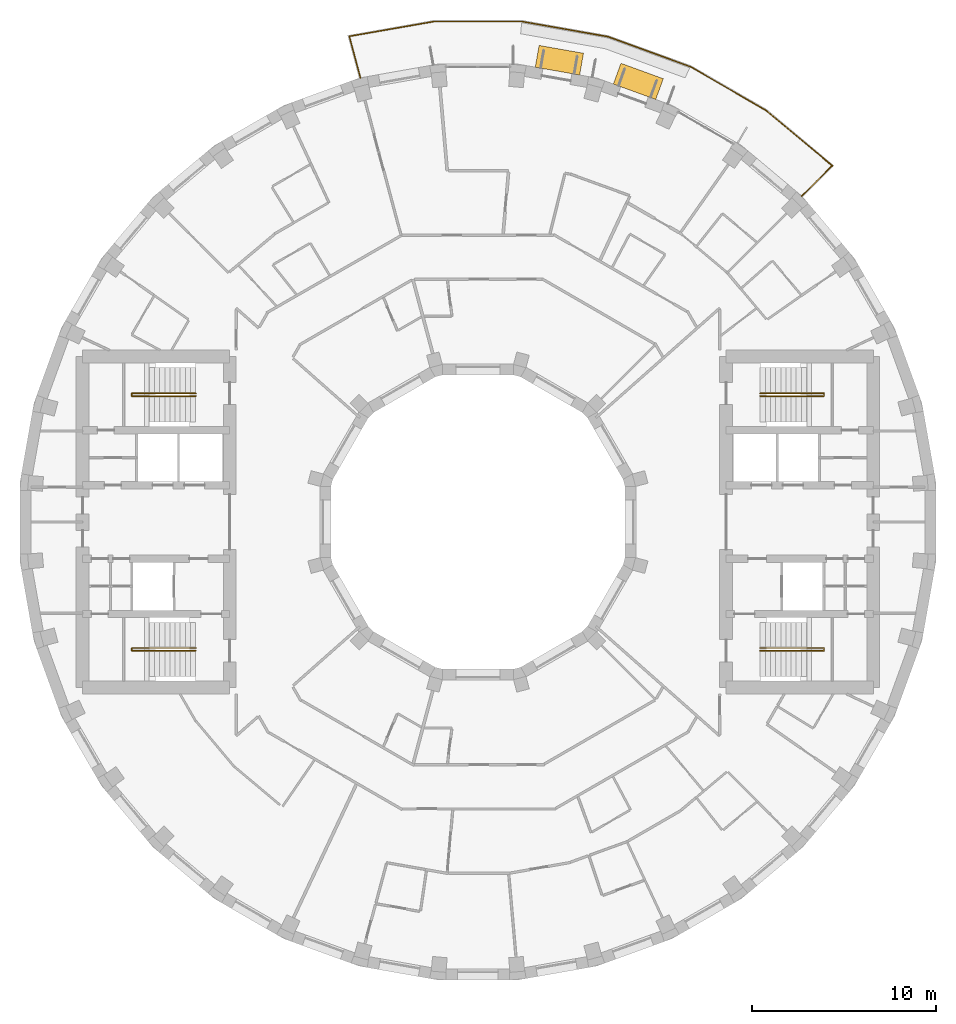
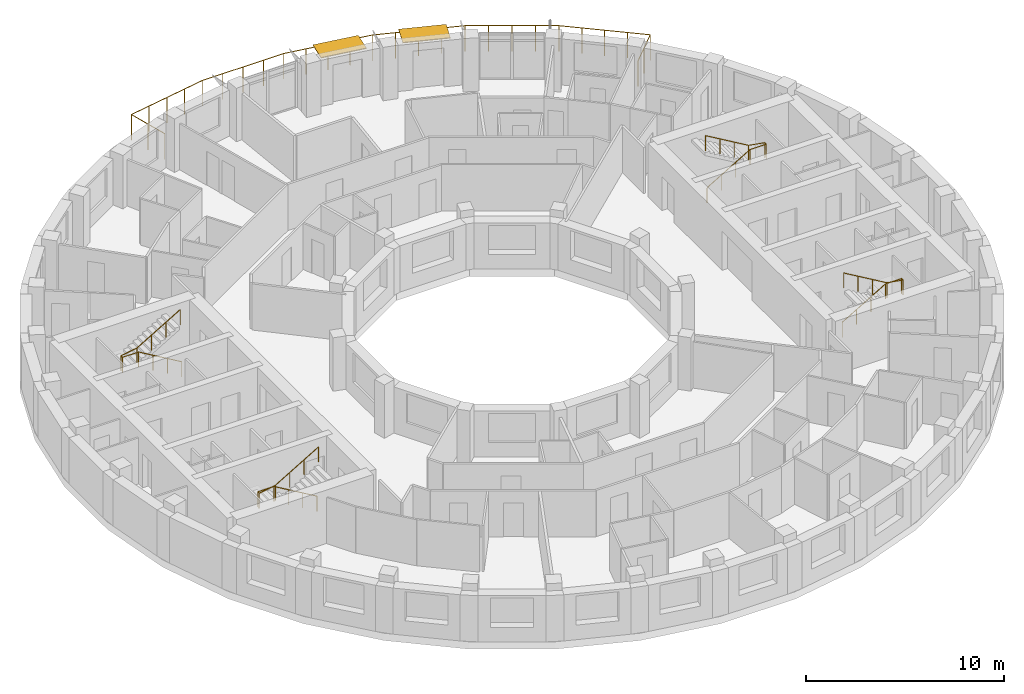
# One storey, part 13 of 13: 5 railings, 2 shading devices.
"""IFC4 building model written with IfcOpenShell, lengths in metres."""

from ifc_helpers import new_model, si_unit, direction, frame, origin, origin_2d, place, context, subcontext, project, spatial, rectangle, circle, extrude, material, layer, layer_set, type_object, element, save


model = new_model("IFC4")

# Units and contexts
model_context = context("Model", 3, precision=1e-05, world=origin(), true_north=direction((0.0, 1.0)))
body_context = subcontext(model_context, "Body", "Model", "MODEL_VIEW")
ifc_project = project(units=[si_unit("LENGTHUNIT", "METRE"), si_unit("AREAUNIT", "SQUARE_METRE"), si_unit("VOLUMEUNIT", "CUBIC_METRE"), si_unit("PLANEANGLEUNIT", "RADIAN"), si_unit("MASSUNIT", "GRAM", prefix="KILO")], contexts=[model_context])

# Site, building, storey
site_placement = place(None, origin())
site = spatial("IfcSite", under=ifc_project, at=site_placement, CompositionType="ELEMENT")
building_placement = place(site_placement, origin())
building = spatial("IfcBuilding", under=site, at=building_placement, Name="Saqina Gate Tower", CompositionType="ELEMENT")
storey_placement = place(building_placement, frame((0.0, 0.0, 203.699951171875)))
storey = spatial("IfcBuildingStorey", under=building, at=storey_placement, Name="L58", CompositionType="ELEMENT", Elevation=203.699951171875)

# Shading devices
ifc_material_1 = material(Name="Aluminium and fabric awning", Category="aluminium")
ifc_layer = layer(ifc_material_1, 0.050048828125)
ifc_layer_set = layer_set([ifc_layer], Name="AW-TERRACE")
shading_device_type = type_object("IfcShadingDeviceType", Name="AW-TERRACE", PredefinedType="AWNING", material=ifc_layer_set)
for number, where, z_axis, x_axis, name in (
    (1, (8.72314453125, 23.966796875, 2.52490234375), (0.0, 0.0, 1.0), (-0.939692620786, 0.342020143326, 0.0), "Terrace awning L58 facet 7"),
    (2, (4.428955078125, 25.117431640625, 2.52490234375), (0.0, 0.0, 1.0), (-0.984807753012, 0.173648177667, 0.0), "Terrace awning L58 facet 8"),
):
    element("IfcShadingDevice", number, at=place(storey_placement, frame(where, z_axis=z_axis, x_axis=x_axis)), inside=storey, type_object=shading_device_type, Name=name, PredefinedType="AWNING", context=body_context, shape_type="SweptSolid", body=[
        extrude(rectangle(XDim=2.44970703125, YDim=1.199951171875, at=origin_2d()), origin(), (0.0, 0.0, 1.0), 0.050048828125),
    ])

# Railings
ifc_material_2 = material(Name="Stainless steel", Category="steel")
railing_type_1 = type_object("IfcRailingType", Name="RL-TERRACE", PredefinedType="GUARDRAIL", material=ifc_material_2)
railing_1_placement = place(storey_placement, frame((17.57861328125, 17.69189453125, 0.0)))
element("IfcRailing", 3, at=railing_1_placement, inside=storey, type_object=railing_type_1, Name="Terrace guard L58", PredefinedType="GUARDRAIL", context=body_context, shape_type="SweptSolid", body=[
    extrude(circle(Radius=0.02392578125, at=origin_2d()), frame((0.0, 0.0, 1.576171875), z_axis=(0.707106781187, 0.707106781187, 0.0), x_axis=(-0.707106781187, 0.707106781187, 0.0)), (0.0, 0.0, 1.0), 2.388916015625),
    extrude(circle(Radius=0.02392578125, at=origin_2d()), frame((1.689208984375, 1.689208984375, 1.576171875), z_axis=(-0.767002243016, 0.641644418045, 0.0), x_axis=(-0.641644418045, -0.767002243016, 0.0)), (0.0, 0.0, 1.0), 4.683837890625),
    extrude(circle(Radius=0.02392578125, at=origin_2d()), frame((-1.9033203125, 4.694580078125, 1.576171875), z_axis=(-0.866026842905, 0.499997507361, 0.0), x_axis=(-0.499997507361, -0.866026842905, 0.0)), (0.0, 0.0, 1.0), 4.763671875),
    extrude(circle(Radius=0.02392578125, at=origin_2d()), frame((-6.02880859375, 7.076416015625, 1.576171875), z_axis=(-0.939688638318, 0.342031084868, 0.0), x_axis=(-0.342031084868, -0.939688638318, 0.0)), (0.0, 0.0, 1.0), 4.763916015625),
    extrude(circle(Radius=0.02392578125, at=origin_2d()), frame((-10.50537109375, 8.705810546875, 1.576171875), z_axis=(-0.98481037568, 0.173633303123, 0.0), x_axis=(-0.173633303123, -0.98481037568, 0.0)), (0.0, 0.0, 1.0), 4.763671875),
    extrude(circle(Radius=0.02392578125, at=origin_2d()), frame((-15.19677734375, 9.532958984375, 1.576171875), z_axis=(-1.0, 0.0, 0.0), x_axis=(0.0, -1.0, 0.0)), (0.0, 0.0, 1.0), 4.763671875),
    extrude(circle(Radius=0.02392578125, at=origin_2d()), frame((-19.96044921875, 9.532958984375, 1.576171875), z_axis=(-0.985070265823, -0.17215275598, 0.0), x_axis=(0.17215275598, -0.985070265823, 0.0)), (0.0, 0.0, 1.0), 4.68408203125),
    extrude(circle(Radius=0.02392578125, at=origin_2d()), frame((-24.57470703125, 8.7265625, 1.576171875), z_axis=(0.258851866296, -0.965917031279, 0.0), x_axis=(0.965917031279, 0.258851866296, 0.0)), (0.0, 0.0, 1.0), 2.38916015625),
    extrude(circle(Radius=0.02099609375, at=origin_2d()), origin(), (0.0, 0.0, 1.0), 1.552001953125),
    extrude(circle(Radius=0.02099609375, at=origin_2d()), frame((0.8447265625, 0.8447265625, 0.0)), (0.0, 0.0, 1.0), 1.552001953125),
    extrude(circle(Radius=0.02099609375, at=origin_2d()), frame((1.689208984375, 1.689208984375, 0.0)), (0.0, 0.0, 1.0), 1.552001953125),
    extrude(circle(Radius=0.02099609375, at=origin_2d()), frame((0.791015625, 2.4404296875, 0.0)), (0.0, 0.0, 1.0), 1.552001953125),
    extrude(circle(Radius=0.02099609375, at=origin_2d()), frame((-0.10693359375, 3.19189453125, 0.0)), (0.0, 0.0, 1.0), 1.552001953125),
    extrude(circle(Radius=0.02099609375, at=origin_2d()), frame((-1.005126953125, 3.943359375, 0.0)), (0.0, 0.0, 1.0), 1.552001953125),
    extrude(circle(Radius=0.02099609375, at=origin_2d()), frame((-1.9033203125, 4.694580078125, 0.0)), (0.0, 0.0, 1.0), 1.552001953125),
    extrude(circle(Radius=0.02099609375, at=origin_2d()), frame((-2.9345703125, 5.2900390625, 0.0)), (0.0, 0.0, 1.0), 1.552001953125),
    extrude(circle(Radius=0.02099609375, at=origin_2d()), frame((-3.966064453125, 5.885498046875, 0.0)), (0.0, 0.0, 1.0), 1.552001953125),
    extrude(circle(Radius=0.02099609375, at=origin_2d()), frame((-4.99755859375, 6.48095703125, 0.0)), (0.0, 0.0, 1.0), 1.552001953125),
    extrude(circle(Radius=0.02099609375, at=origin_2d()), frame((-6.02880859375, 7.076416015625, 0.0)), (0.0, 0.0, 1.0), 1.552001953125),
    extrude(circle(Radius=0.02099609375, at=origin_2d()), frame((-7.14794921875, 7.48388671875, 0.0)), (0.0, 0.0, 1.0), 1.552001953125),
    extrude(circle(Radius=0.02099609375, at=origin_2d()), frame((-8.26708984375, 7.89111328125, 0.0)), (0.0, 0.0, 1.0), 1.552001953125),
    extrude(circle(Radius=0.02099609375, at=origin_2d()), frame((-9.38623046875, 8.29833984375, 0.0)), (0.0, 0.0, 1.0), 1.552001953125),
    extrude(circle(Radius=0.02099609375, at=origin_2d()), frame((-10.50537109375, 8.705810546875, 0.0)), (0.0, 0.0, 1.0), 1.552001953125),
    extrude(circle(Radius=0.02099609375, at=origin_2d()), frame((-11.67822265625, 8.91259765625, 0.0)), (0.0, 0.0, 1.0), 1.552001953125),
    extrude(circle(Radius=0.02099609375, at=origin_2d()), frame((-12.85107421875, 9.119384765625, 0.0)), (0.0, 0.0, 1.0), 1.552001953125),
    extrude(circle(Radius=0.02099609375, at=origin_2d()), frame((-14.02392578125, 9.326171875, 0.0)), (0.0, 0.0, 1.0), 1.552001953125),
    extrude(circle(Radius=0.02099609375, at=origin_2d()), frame((-15.19677734375, 9.532958984375, 0.0)), (0.0, 0.0, 1.0), 1.552001953125),
    extrude(circle(Radius=0.02099609375, at=origin_2d()), frame((-16.3876953125, 9.532958984375, 0.0)), (0.0, 0.0, 1.0), 1.552001953125),
    extrude(circle(Radius=0.02099609375, at=origin_2d()), frame((-17.57861328125, 9.532958984375, 0.0)), (0.0, 0.0, 1.0), 1.552001953125),
    extrude(circle(Radius=0.02099609375, at=origin_2d()), frame((-18.76953125, 9.532958984375, 0.0)), (0.0, 0.0, 1.0), 1.552001953125),
    extrude(circle(Radius=0.02099609375, at=origin_2d()), frame((-19.96044921875, 9.532958984375, 0.0)), (0.0, 0.0, 1.0), 1.552001953125),
    extrude(circle(Radius=0.02099609375, at=origin_2d()), frame((-21.114013671875, 9.331298828125, 0.0)), (0.0, 0.0, 1.0), 1.552001953125),
    extrude(circle(Radius=0.02099609375, at=origin_2d()), frame((-22.267578125, 9.1298828125, 0.0)), (0.0, 0.0, 1.0), 1.552001953125),
    extrude(circle(Radius=0.02099609375, at=origin_2d()), frame((-23.421142578125, 8.92822265625, 0.0)), (0.0, 0.0, 1.0), 1.552001953125),
    extrude(circle(Radius=0.02099609375, at=origin_2d()), frame((-24.57470703125, 8.7265625, 0.0)), (0.0, 0.0, 1.0), 1.552001953125),
    extrude(circle(Radius=0.02099609375, at=origin_2d()), frame((-24.265625, 7.57275390625, 0.0)), (0.0, 0.0, 1.0), 1.552001953125),
    extrude(circle(Radius=0.02099609375, at=origin_2d()), frame((-23.956298828125, 6.4189453125, 0.0)), (0.0, 0.0, 1.0), 1.552001953125),
])
ifc_material_3 = material(Name="Stainless steel", Category="steel")
railing_type_2 = type_object("IfcRailingType", Name="STAIR HANDRAIL", PredefinedType="HANDRAIL", material=ifc_material_3)
railing_2_placement = place(storey_placement, frame((15.35009765625, 6.85009765625, 0.1650390625)))
element("IfcRailing", 4, at=railing_2_placement, inside=storey, type_object=railing_type_2, Name="EXIT STAIR 1 HANDRAIL", PredefinedType="HANDRAIL", context=body_context, shape_type="SweptSolid", body=[
    extrude(circle(Radius=0.02392578125, at=origin_2d()), frame((0.0, 0.0, 0.92578125), z_axis=(0.86152411907, 0.0, 0.507716645641), x_axis=(0.0, 1.0, 0.0)), (0.0, 0.0, 1.0), 2.925048828125),
    extrude(circle(Radius=0.02392578125, at=origin_2d()), frame((2.52001953125, 0.0, 2.4111328125), z_axis=(1.0, 0.0, 0.0), x_axis=(0.0, 1.0, 0.0)), (0.0, 0.0, 1.0), 0.949951171875),
    extrude(circle(Radius=0.02392578125, at=origin_2d()), frame((3.469970703125, 0.0, 2.4111328125), z_axis=(0.0, 1.0, 0.0), x_axis=(-1.0, 0.0, 0.0)), (0.0, 0.0, 1.0), 0.14990234375),
    extrude(circle(Radius=0.02392578125, at=origin_2d()), frame((3.469970703125, 0.14990234375, 2.4111328125), z_axis=(-0.985284148366, 0.0, 0.170924389655), x_axis=(0.0, -1.0, 0.0)), (0.0, 0.0, 1.0), 0.964111328125),
    extrude(circle(Radius=0.02392578125, at=origin_2d()), frame((2.52001953125, 0.14990234375, 2.57568359375), z_axis=(-0.86152411907, 0.0, 0.507716645641), x_axis=(0.0, -1.0, 0.0)), (0.0, 0.0, 1.0), 2.925048828125),
    extrude(circle(Radius=0.02099609375, at=origin_2d()), origin(), (0.0, 0.0, 1.0), 0.90185546875),
    extrude(circle(Radius=0.02099609375, at=origin_2d()), frame((0.840087890625, 0.0, 0.4951171875)), (0.0, 0.0, 1.0), 0.90185546875),
    extrude(circle(Radius=0.02099609375, at=origin_2d()), frame((1.679931640625, 0.0, 0.989990234375)), (0.0, 0.0, 1.0), 0.90185546875),
    extrude(circle(Radius=0.02099609375, at=origin_2d()), frame((2.52001953125, 0.0, 1.485107421875)), (0.0, 0.0, 1.0), 0.90185546875),
    extrude(circle(Radius=0.02099609375, at=origin_2d()), frame((3.469970703125, 0.0, 1.485107421875)), (0.0, 0.0, 1.0), 0.90185546875),
    extrude(circle(Radius=0.02099609375, at=origin_2d()), frame((3.469970703125, 0.14990234375, 1.485107421875)), (0.0, 0.0, 1.0), 0.90185546875),
    extrude(circle(Radius=0.02099609375, at=origin_2d()), frame((2.52001953125, 0.14990234375, 1.64990234375)), (0.0, 0.0, 1.0), 0.90185546875),
    extrude(circle(Radius=0.02099609375, at=origin_2d()), frame((1.679931640625, 0.14990234375, 2.14501953125)), (0.0, 0.0, 1.0), 0.90185546875),
    extrude(circle(Radius=0.02099609375, at=origin_2d()), frame((0.840087890625, 0.14990234375, 2.639892578125)), (0.0, 0.0, 1.0), 0.90185546875),
    extrude(circle(Radius=0.02099609375, at=origin_2d()), frame((0.0, 0.14990234375, 3.135009765625)), (0.0, 0.0, 1.0), 0.90185546875),
])
railing_3_placement = place(storey_placement, frame((15.35009765625, -6.85009765625, 0.1650390625)))
element("IfcRailing", 5, at=railing_3_placement, inside=storey, type_object=railing_type_2, Name="EXIT STAIR 2 HANDRAIL", PredefinedType="HANDRAIL", context=body_context, shape_type="SweptSolid", body=[
    extrude(circle(Radius=0.02392578125, at=origin_2d()), frame((0.0, 0.0, 0.92578125), z_axis=(0.86152411907, 0.0, 0.507716645641), x_axis=(0.0, 1.0, 0.0)), (0.0, 0.0, 1.0), 2.925048828125),
    extrude(circle(Radius=0.02392578125, at=origin_2d()), frame((2.52001953125, 0.0, 2.4111328125), z_axis=(1.0, 0.0, 0.0), x_axis=(0.0, 1.0, 0.0)), (0.0, 0.0, 1.0), 0.949951171875),
    extrude(circle(Radius=0.02392578125, at=origin_2d()), frame((3.469970703125, 0.0, 2.4111328125), z_axis=(0.0, -1.0, 0.0), x_axis=(1.0, 0.0, 0.0)), (0.0, 0.0, 1.0), 0.14990234375),
    extrude(circle(Radius=0.02392578125, at=origin_2d()), frame((3.469970703125, -0.14990234375, 2.4111328125), z_axis=(-0.985284148366, 0.0, 0.170924389655), x_axis=(0.0, -1.0, 0.0)), (0.0, 0.0, 1.0), 0.964111328125),
    extrude(circle(Radius=0.02392578125, at=origin_2d()), frame((2.52001953125, -0.14990234375, 2.57568359375), z_axis=(-0.86152411907, 0.0, 0.507716645641), x_axis=(0.0, -1.0, 0.0)), (0.0, 0.0, 1.0), 2.925048828125),
    extrude(circle(Radius=0.02099609375, at=origin_2d()), origin(), (0.0, 0.0, 1.0), 0.90185546875),
    extrude(circle(Radius=0.02099609375, at=origin_2d()), frame((0.840087890625, 0.0, 0.4951171875)), (0.0, 0.0, 1.0), 0.90185546875),
    extrude(circle(Radius=0.02099609375, at=origin_2d()), frame((1.679931640625, 0.0, 0.989990234375)), (0.0, 0.0, 1.0), 0.90185546875),
    extrude(circle(Radius=0.02099609375, at=origin_2d()), frame((2.52001953125, 0.0, 1.485107421875)), (0.0, 0.0, 1.0), 0.90185546875),
    extrude(circle(Radius=0.02099609375, at=origin_2d()), frame((3.469970703125, 0.0, 1.485107421875)), (0.0, 0.0, 1.0), 0.90185546875),
    extrude(circle(Radius=0.02099609375, at=origin_2d()), frame((3.469970703125, -0.14990234375, 1.485107421875)), (0.0, 0.0, 1.0), 0.90185546875),
    extrude(circle(Radius=0.02099609375, at=origin_2d()), frame((2.52001953125, -0.14990234375, 1.64990234375)), (0.0, 0.0, 1.0), 0.90185546875),
    extrude(circle(Radius=0.02099609375, at=origin_2d()), frame((1.679931640625, -0.14990234375, 2.14501953125)), (0.0, 0.0, 1.0), 0.90185546875),
    extrude(circle(Radius=0.02099609375, at=origin_2d()), frame((0.840087890625, -0.14990234375, 2.639892578125)), (0.0, 0.0, 1.0), 0.90185546875),
    extrude(circle(Radius=0.02099609375, at=origin_2d()), frame((0.0, -0.14990234375, 3.135009765625)), (0.0, 0.0, 1.0), 0.90185546875),
])
railing_4_placement = place(storey_placement, frame((-15.35009765625, 6.85009765625, 0.1650390625)))
element("IfcRailing", 6, at=railing_4_placement, inside=storey, type_object=railing_type_2, Name="EXIT STAIR 3 HANDRAIL", PredefinedType="HANDRAIL", context=body_context, shape_type="SweptSolid", body=[
    extrude(circle(Radius=0.02392578125, at=origin_2d()), frame((0.0, 0.0, 0.92578125), z_axis=(-0.86152411907, 0.0, 0.507716645641), x_axis=(0.0, -1.0, 0.0)), (0.0, 0.0, 1.0), 2.925048828125),
    extrude(circle(Radius=0.02392578125, at=origin_2d()), frame((-2.52001953125, 0.0, 2.4111328125), z_axis=(-1.0, 0.0, 0.0), x_axis=(0.0, -1.0, 0.0)), (0.0, 0.0, 1.0), 0.949951171875),
    extrude(circle(Radius=0.02392578125, at=origin_2d()), frame((-3.469970703125, 0.0, 2.4111328125), z_axis=(0.0, 1.0, 0.0), x_axis=(-1.0, 0.0, 0.0)), (0.0, 0.0, 1.0), 0.14990234375),
    extrude(circle(Radius=0.02392578125, at=origin_2d()), frame((-3.469970703125, 0.14990234375, 2.4111328125), z_axis=(0.985284148366, 0.0, 0.170924389655), x_axis=(0.0, 1.0, 0.0)), (0.0, 0.0, 1.0), 0.964111328125),
    extrude(circle(Radius=0.02392578125, at=origin_2d()), frame((-2.52001953125, 0.14990234375, 2.57568359375), z_axis=(0.86152411907, 0.0, 0.507716645641), x_axis=(0.0, 1.0, 0.0)), (0.0, 0.0, 1.0), 2.925048828125),
    extrude(circle(Radius=0.02099609375, at=origin_2d()), origin(), (0.0, 0.0, 1.0), 0.90185546875),
    extrude(circle(Radius=0.02099609375, at=origin_2d()), frame((-0.840087890625, 0.0, 0.4951171875)), (0.0, 0.0, 1.0), 0.90185546875),
    extrude(circle(Radius=0.02099609375, at=origin_2d()), frame((-1.679931640625, 0.0, 0.989990234375)), (0.0, 0.0, 1.0), 0.90185546875),
    extrude(circle(Radius=0.02099609375, at=origin_2d()), frame((-2.52001953125, 0.0, 1.485107421875)), (0.0, 0.0, 1.0), 0.90185546875),
    extrude(circle(Radius=0.02099609375, at=origin_2d()), frame((-3.469970703125, 0.0, 1.485107421875)), (0.0, 0.0, 1.0), 0.90185546875),
    extrude(circle(Radius=0.02099609375, at=origin_2d()), frame((-3.469970703125, 0.14990234375, 1.485107421875)), (0.0, 0.0, 1.0), 0.90185546875),
    extrude(circle(Radius=0.02099609375, at=origin_2d()), frame((-2.52001953125, 0.14990234375, 1.64990234375)), (0.0, 0.0, 1.0), 0.90185546875),
    extrude(circle(Radius=0.02099609375, at=origin_2d()), frame((-1.679931640625, 0.14990234375, 2.14501953125)), (0.0, 0.0, 1.0), 0.90185546875),
    extrude(circle(Radius=0.02099609375, at=origin_2d()), frame((-0.840087890625, 0.14990234375, 2.639892578125)), (0.0, 0.0, 1.0), 0.90185546875),
    extrude(circle(Radius=0.02099609375, at=origin_2d()), frame((0.0, 0.14990234375, 3.135009765625)), (0.0, 0.0, 1.0), 0.90185546875),
])
railing_5_placement = place(storey_placement, frame((-15.35009765625, -6.85009765625, 0.1650390625)))
element("IfcRailing", 7, at=railing_5_placement, inside=storey, type_object=railing_type_2, Name="EXIT STAIR 4 HANDRAIL", PredefinedType="HANDRAIL", context=body_context, shape_type="SweptSolid", body=[
    extrude(circle(Radius=0.02392578125, at=origin_2d()), frame((0.0, 0.0, 0.92578125), z_axis=(-0.86152411907, 0.0, 0.507716645641), x_axis=(0.0, -1.0, 0.0)), (0.0, 0.0, 1.0), 2.925048828125),
    extrude(circle(Radius=0.02392578125, at=origin_2d()), frame((-2.52001953125, 0.0, 2.4111328125), z_axis=(-1.0, 0.0, 0.0), x_axis=(0.0, -1.0, 0.0)), (0.0, 0.0, 1.0), 0.949951171875),
    extrude(circle(Radius=0.02392578125, at=origin_2d()), frame((-3.469970703125, 0.0, 2.4111328125), z_axis=(0.0, -1.0, 0.0), x_axis=(1.0, 0.0, 0.0)), (0.0, 0.0, 1.0), 0.14990234375),
    extrude(circle(Radius=0.02392578125, at=origin_2d()), frame((-3.469970703125, -0.14990234375, 2.4111328125), z_axis=(0.985284148366, 0.0, 0.170924389655), x_axis=(0.0, 1.0, 0.0)), (0.0, 0.0, 1.0), 0.964111328125),
    extrude(circle(Radius=0.02392578125, at=origin_2d()), frame((-2.52001953125, -0.14990234375, 2.57568359375), z_axis=(0.86152411907, 0.0, 0.507716645641), x_axis=(0.0, 1.0, 0.0)), (0.0, 0.0, 1.0), 2.925048828125),
    extrude(circle(Radius=0.02099609375, at=origin_2d()), origin(), (0.0, 0.0, 1.0), 0.90185546875),
    extrude(circle(Radius=0.02099609375, at=origin_2d()), frame((-0.840087890625, 0.0, 0.4951171875)), (0.0, 0.0, 1.0), 0.90185546875),
    extrude(circle(Radius=0.02099609375, at=origin_2d()), frame((-1.679931640625, 0.0, 0.989990234375)), (0.0, 0.0, 1.0), 0.90185546875),
    extrude(circle(Radius=0.02099609375, at=origin_2d()), frame((-2.52001953125, 0.0, 1.485107421875)), (0.0, 0.0, 1.0), 0.90185546875),
    extrude(circle(Radius=0.02099609375, at=origin_2d()), frame((-3.469970703125, 0.0, 1.485107421875)), (0.0, 0.0, 1.0), 0.90185546875),
    extrude(circle(Radius=0.02099609375, at=origin_2d()), frame((-3.469970703125, -0.14990234375, 1.485107421875)), (0.0, 0.0, 1.0), 0.90185546875),
    extrude(circle(Radius=0.02099609375, at=origin_2d()), frame((-2.52001953125, -0.14990234375, 1.64990234375)), (0.0, 0.0, 1.0), 0.90185546875),
    extrude(circle(Radius=0.02099609375, at=origin_2d()), frame((-1.679931640625, -0.14990234375, 2.14501953125)), (0.0, 0.0, 1.0), 0.90185546875),
    extrude(circle(Radius=0.02099609375, at=origin_2d()), frame((-0.840087890625, -0.14990234375, 2.639892578125)), (0.0, 0.0, 1.0), 0.90185546875),
    extrude(circle(Radius=0.02099609375, at=origin_2d()), frame((0.0, -0.14990234375, 3.135009765625)), (0.0, 0.0, 1.0), 0.90185546875),
])

save(model, "model.ifc")
